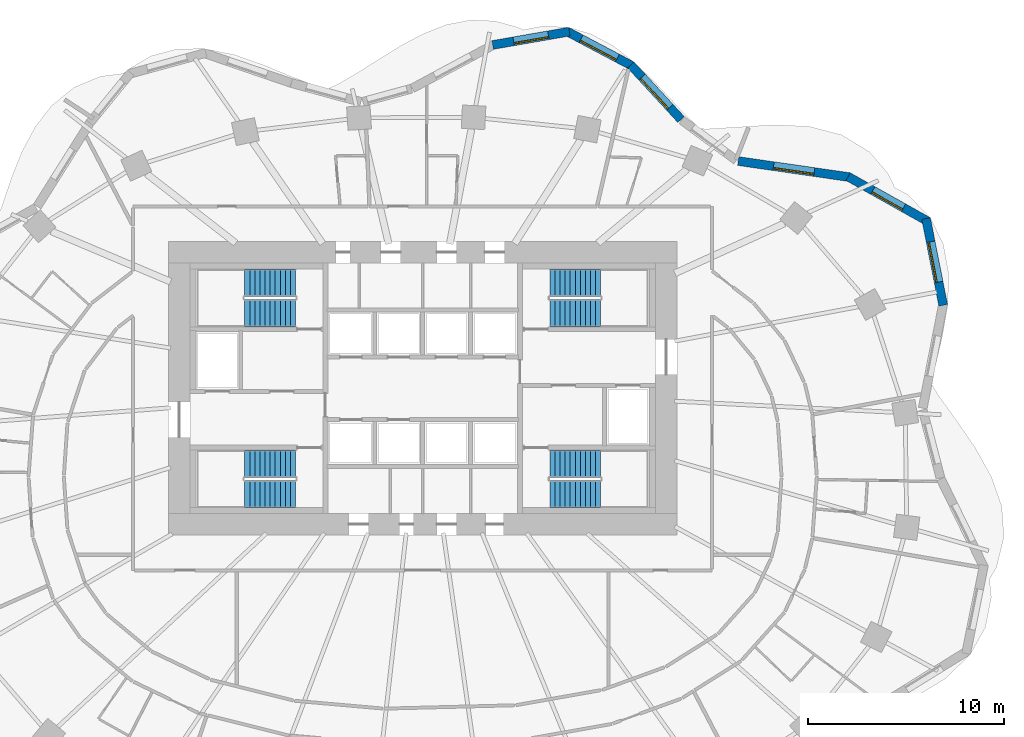
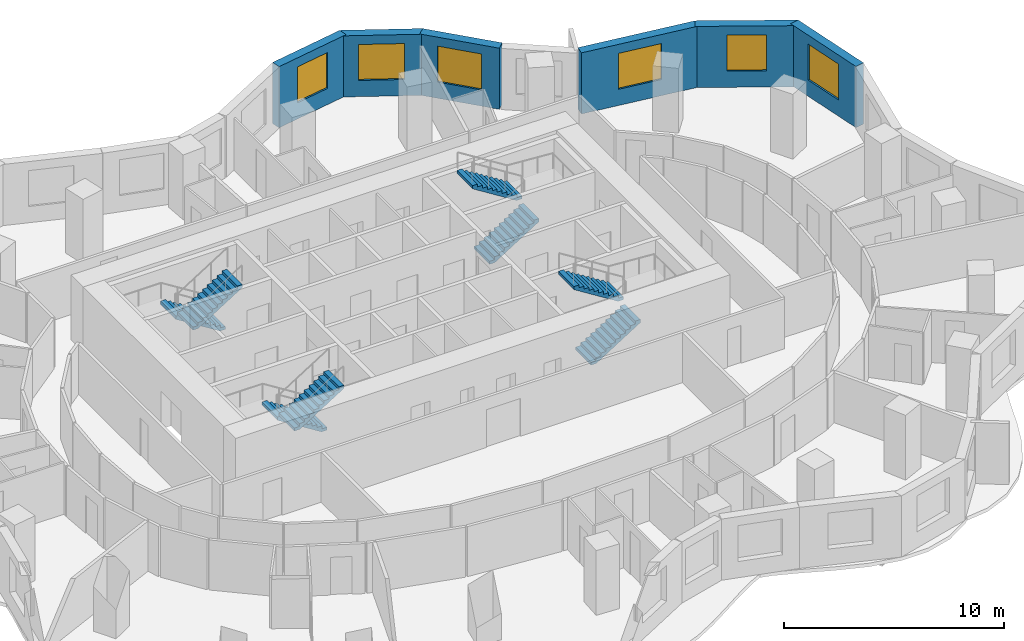
# One storey, part 9 of 10: 8 stair flights, 6 walls, 6 windows, 6 openings, 4 elements without a shape of their own.
"""IFC4 building model written with IfcOpenShell, lengths in metres."""

import ifcopenshell
import ifcopenshell.guid

model = None  # the IFC model being written
_history = None  # IfcOwnerHistory: only IFC2X3 demands one
_inside = {}  # id of a spatial element -> (the spatial element, [elements in it])
_under = {}  # id of a project, library or spatial element -> (it, [spatial elements below it])
_declared = {}  # id of a project -> (the project, [libraries it declares])
_typed = {}  # id of a type object -> (the type object, [elements of that type])
_made_of = {}  # id of a material, layer set ... -> (it, [elements and type objects made of it])


def new_model(schema):
    """Start an empty IFC model of exactly this schema.

    Asked for "IFC4X3", IfcOpenShell would pick the latest addendum, in which some entities
    have other attributes; the version numbers below select the first issue.
    IFC2X3 requires an IfcOwnerHistory on every rooted entity: one is made here for all.
    """
    global model, _history
    if schema == "IFC4X3":
        model = ifcopenshell.file(schema_version=(4, 3, 0, 0))
    else:
        model = ifcopenshell.file(schema=schema)
    _inside.clear()
    _under.clear()
    _declared.clear()
    _typed.clear()
    _made_of.clear()
    _history = None
    if model.schema == "IFC2X3":
        org = make("IfcOrganization", Name="unknown")
        user = make(
            "IfcPersonAndOrganization",
            ThePerson=make("IfcPerson", FamilyName="unknown"),
            TheOrganization=org,
        )
        app = make(
            "IfcApplication",
            ApplicationDeveloper=org,
            Version="unknown",
            ApplicationFullName="unknown",
            ApplicationIdentifier="unknown",
        )
        _history = make(
            "IfcOwnerHistory",
            OwningUser=user,
            OwningApplication=app,
            ChangeAction="ADDED",
            CreationDate=0,
        )
    return model


def make(cls, **values):
    """One entity of the class cls with the attributes given. An attribute that is None is left unset."""
    return model.create_entity(
        cls, **{name: value for name, value in values.items() if value is not None}
    )


def rooted(cls, **values):
    """An entity with a GlobalId (a new one), such as an element, a storey or a relation."""
    return make(cls, GlobalId=ifcopenshell.guid.new(), OwnerHistory=_history, **values)


def si_unit(unit_type, name, prefix=None):
    """IfcSIUnit, for example si_unit("LENGTHUNIT", "METRE", prefix="MILLI")."""
    return make("IfcSIUnit", UnitType=unit_type, Prefix=prefix, Name=name)


def assignment(units):
    """IfcUnitAssignment: the units of a project."""
    return None if units is None else make("IfcUnitAssignment", Units=units)


def point(xyz):
    """IfcCartesianPoint."""
    return None if xyz is None else make("IfcCartesianPoint", Coordinates=xyz)


def direction(xyz):
    """IfcDirection."""
    return None if xyz is None else make("IfcDirection", DirectionRatios=xyz)


def frame(location, z_axis=None, x_axis=None):
    """IfcAxis2Placement3D, a coordinate frame: its origin and axes. An axis left out is left unset."""
    return make(
        "IfcAxis2Placement3D",
        Location=point(location),
        Axis=direction(z_axis),
        RefDirection=direction(x_axis),
    )


def frame_2d(location, x_axis=None):
    """IfcAxis2Placement2D, a coordinate frame in the plane: its origin and x axis."""
    return make(
        "IfcAxis2Placement2D", Location=point(location), RefDirection=direction(x_axis)
    )


def origin():
    """The frame at (0, 0, 0) with its axes left unset."""
    return frame((0.0, 0.0, 0.0))


def place(relative_to, where):
    """IfcLocalPlacement: puts the frame where relative to a parent placement (None: the world)."""
    return make(
        "IfcLocalPlacement", PlacementRelTo=relative_to, RelativePlacement=where
    )


def context(
    kind, dimensions, precision=None, world=None, true_north=None, identifier=None
):
    """IfcGeometricRepresentationContext, for example the 3D "Model" context."""
    return make(
        "IfcGeometricRepresentationContext",
        ContextIdentifier=identifier,
        ContextType=kind,
        CoordinateSpaceDimension=dimensions,
        Precision=precision,
        WorldCoordinateSystem=world,
        TrueNorth=true_north,
    )


def subcontext(parent, identifier, kind, view, scale=None):
    """IfcGeometricRepresentationSubContext, for example "Body" below "Model"."""
    return make(
        "IfcGeometricRepresentationSubContext",
        ContextIdentifier=identifier,
        ContextType=kind,
        ParentContext=parent,
        TargetScale=scale,
        TargetView=view,
    )


def project(units=None, contexts=None):
    """IfcProject with its units and contexts."""
    return rooted(
        "IfcProject",
        Name="project",
        RepresentationContexts=contexts,
        UnitsInContext=assignment(units),
    )


def spatial(cls, under=None, at=None, **own):
    """A site, building, storey or space (cls), placed at a placement, below another one or the project."""
    s = rooted(cls, ObjectPlacement=at, **own)
    if under is not None:
        _under.setdefault(under.id(), (under, []))[1].append(s)
    return s


def polyline(points):
    """IfcPolyline through the points."""
    return make("IfcPolyline", Points=[point(p) for p in points])


def profile(cls, at=None, kind="AREA", **sizes):
    """A parametric profile (cls). Its sizes go by their IFC names, for example OverallWidth=200.0."""
    return make(cls, ProfileType=kind, Position=at, **sizes)


def rectangle(**sizes):
    """IfcRectangleProfileDef."""
    return profile("IfcRectangleProfileDef", **sizes)


def outline(outer, holes=None, kind="AREA"):
    """IfcArbitraryClosedProfileDef: a profile drawn as a closed curve; with holes, ...WithVoids."""
    if holes is None:
        return make("IfcArbitraryClosedProfileDef", ProfileType=kind, OuterCurve=outer)
    return make(
        "IfcArbitraryProfileDefWithVoids",
        ProfileType=kind,
        OuterCurve=outer,
        InnerCurves=holes,
    )


def extrude(swept, where, along, depth):
    """IfcExtrudedAreaSolid: the profile swept, set in the frame where, extruded along a direction by depth."""
    return make(
        "IfcExtrudedAreaSolid",
        SweptArea=swept,
        Position=where,
        ExtrudedDirection=direction(along),
        Depth=depth,
    )


def shape(context_of_items, identifier, shape_type, items):
    """IfcShapeRepresentation: the items that make up one representation, for example the "Body"."""
    return make(
        "IfcShapeRepresentation",
        ContextOfItems=context_of_items,
        RepresentationIdentifier=identifier,
        RepresentationType=shape_type,
        Items=items,
    )


def material(Name=None, Category=None):
    """IfcMaterial."""
    return make("IfcMaterial", Name=Name, Category=Category)


def layer(
    of_material, thickness, ventilated=None, Name=None, Category=None, Priority=None
):
    """IfcMaterialLayer: one layer of a wall or slab, of a material (None: an air gap)."""
    return make(
        "IfcMaterialLayer",
        Material=of_material,
        LayerThickness=thickness,
        IsVentilated=ventilated,
        Name=Name,
        Category=Category,
        Priority=Priority,
    )


def layer_set(layers, Name=None):
    """IfcMaterialLayerSet."""
    return make("IfcMaterialLayerSet", MaterialLayers=layers, LayerSetName=Name)


def made_of(thing, what):
    """Note that an element or type object is made of a material, layer set ...; save() writes the relation."""
    if what is not None:
        _made_of.setdefault(what.id(), (what, []))[1].append(thing)
    return thing


def type_object(cls, material=None, **own):
    """A type object (cls), such as IfcWallType, which elements share."""
    return made_of(rooted(cls, **own), material)


def element(
    cls,
    number,
    at=None,
    inside=None,
    cuts=None,
    type_object=None,
    material=None,
    context=None,
    identifier="Body",
    shape_type=None,
    held_by="IfcProductDefinitionShape",
    body=None,
    shapes=None,
    **own,
):
    """One element of the class cls, such as IfcWall. Its Tag is "e" and its number.

    at: its placement. inside: the storey or other place that contains it. cuts: it is an
    opening in that element (IfcRelVoidsElement). A single representation is given by context,
    identifier, shape_type and body (its items); several are given by shapes. held_by: the class
    of the entity that holds the representations. save() writes the other relations.
    """
    e = rooted(cls, Tag="e%d" % number, ObjectPlacement=at, **own)
    if body is not None:
        shapes = [shape(context, identifier, shape_type, body)]
    if shapes is not None:
        e.Representation = make(held_by, Representations=shapes)
    if inside is not None:
        _inside.setdefault(inside.id(), (inside, []))[1].append(e)
    if cuts is not None:
        rooted(
            "IfcRelVoidsElement", RelatingBuildingElement=cuts, RelatedOpeningElement=e
        )
    if type_object is not None:
        _typed.setdefault(type_object.id(), (type_object, []))[1].append(e)
    return made_of(e, material)


def fill(opening, filler):
    """IfcRelFillsElement: the door or window that sits in an opening."""
    return rooted(
        "IfcRelFillsElement",
        RelatingOpeningElement=opening,
        RelatedBuildingElement=filler,
    )


def aggregate(whole, parts):
    """IfcRelAggregates: a whole, such as a stair, and the parts it consists of."""
    return rooted("IfcRelAggregates", RelatingObject=whole, RelatedObjects=parts)


def save(model, path):
    """Write the relations noted so far, then the file.

    IfcRelAggregates (storeys below a building ...), IfcRelContainedInSpatialStructure (elements
    in a storey), IfcRelDefinesByType, IfcRelAssociatesMaterial and IfcRelDeclares: one each for
    every whole, place, type object, material and project.
    """
    for whole, parts in _under.values():
        aggregate(whole, parts)
    for where, things in _inside.values():
        rooted(
            "IfcRelContainedInSpatialStructure",
            RelatedElements=things,
            RelatingStructure=where,
        )
    for kind, things in _typed.values():
        rooted("IfcRelDefinesByType", RelatedObjects=things, RelatingType=kind)
    for what, things in _made_of.values():
        rooted("IfcRelAssociatesMaterial", RelatedObjects=things, RelatingMaterial=what)
    for by, libraries in _declared.values():
        rooted("IfcRelDeclares", RelatingContext=by, RelatedDefinitions=libraries)
    model.write(path)


model = new_model("IFC4")

# Units and contexts
model_context = context("Model", 3, precision=1e-05, world=origin(), true_north=direction((0.0, 1.0)))
body_context = subcontext(model_context, "Body", "Model", "MODEL_VIEW")
ifc_project = project(units=[si_unit("LENGTHUNIT", "METRE"), si_unit("AREAUNIT", "SQUARE_METRE"), si_unit("VOLUMEUNIT", "CUBIC_METRE"), si_unit("PLANEANGLEUNIT", "RADIAN"), si_unit("MASSUNIT", "GRAM", prefix="KILO")], contexts=[model_context])

# Site, building, storey
site_placement = place(None, origin())
site = spatial("IfcSite", under=ifc_project, at=site_placement, CompositionType="ELEMENT")
building_placement = place(site_placement, origin())
building = spatial("IfcBuilding", under=site, at=building_placement, Name="Rubra Terraces Tower", CompositionType="ELEMENT")
storey_placement = place(building_placement, frame((0.0, 0.0, 88.800048828125)))
storey = spatial("IfcBuildingStorey", under=building, at=storey_placement, Name="L20", CompositionType="ELEMENT", Elevation=88.800048828125)

# Wall, opening, window
ifc_material_1 = material(Name="Brick masonry red-brown", Category="masonry")
ifc_layer = layer(ifc_material_1, 0.449951171875)
ifc_layer_set = layer_set([ifc_layer], Name="Brick masonry red-brown")
wall_type = type_object("IfcWallType", Name="Brick facade wall 450", PredefinedType="SOLIDWALL", material=ifc_layer_set)
wall_1_placement = place(storey_placement, frame((26.609619140625, 8.747802734375, 0.0), z_axis=(0.0, 0.0, 1.0), x_axis=(-0.193923166402, 0.981016720312, 0.0)))
wall_1 = element("IfcWall", 1, at=wall_1_placement, inside=storey, type_object=wall_type, Name="Facade wall L20 bay 3", PredefinedType="SOLIDWALL", context=body_context, shape_type="SweptSolid", body=[
    extrude(rectangle(XDim=4.518310546875, YDim=0.449951171875, at=frame_2d((2.25927734375, 0.0))), origin(), (0.0, 0.0, 1.0), 3.39990234375),
])
opening_1_placement = place(wall_1_placement, frame((1.209228515625, 0.0, 0.89990234375)))
opening_1 = element("IfcOpeningElement", 2, at=opening_1_placement, cuts=wall_1, Name="Opening W1", PredefinedType="OPENING", context=body_context, shape_type="SweptSolid", body=[
    extrude(rectangle(XDim=2.10009765625, YDim=2.0, at=frame_2d((1.050048828125, 1.0))), frame((0.0, 0.23486328125, 0.0), z_axis=(0.0, -1.0, 0.0), x_axis=(1.0, 0.0, 0.0)), (0.0, 0.0, 1.0), 0.469970703125),
])
ifc_material_2 = material(Name="Clear glass in aluminium frame", Category="aluminium")
window_type_1 = type_object("IfcWindowType", Name="Fixed deep-set window 2100 x 2000", PartitioningType="SINGLE_PANEL", PredefinedType="WINDOW", material=ifc_material_2)
window_1_placement = place(opening_1_placement, origin())
window_1 = element("IfcWindow", 3, at=window_1_placement, inside=storey, type_object=window_type_1, Name="Window L20 bay 3", OverallHeight=2.0, OverallWidth=2.10009765625, PartitioningType="SINGLE_PANEL", PredefinedType="WINDOW", context=body_context, shape_type="SweptSolid", body=[
    extrude(rectangle(XDim=2.10009765625, YDim=2.0, at=frame_2d((1.050048828125, 1.0))), frame((0.0, 0.135009765625, 0.0), z_axis=(0.0, -1.0, 0.0), x_axis=(1.0, 0.0, 0.0)), (0.0, 0.0, 1.0), 0.06005859375),
])
fill(opening_1, window_1)

wall_2_placement = place(storey_placement, frame((25.843994140625, 13.027587890625, 0.0), z_axis=(0.0, 0.0, 1.0), x_axis=(-0.872346398261, 0.488888291373, 0.0)))
wall_2 = element("IfcWall", 4, at=wall_2_placement, inside=storey, type_object=wall_type, Name="Facade wall L20 bay 4", PredefinedType="SOLIDWALL", context=body_context, shape_type="SweptSolid", body=[
    extrude(rectangle(XDim=4.696044921875, YDim=0.449951171875, at=frame_2d((2.34814453125, 0.0))), origin(), (0.0, 0.0, 1.0), 3.39990234375),
])
opening_2_placement = place(wall_2_placement, frame((1.447998046875, 0.0, 0.89990234375)))
opening_2 = element("IfcOpeningElement", 5, at=opening_2_placement, cuts=wall_2, Name="Opening W6", PredefinedType="OPENING", context=body_context, shape_type="SweptSolid", body=[
    extrude(rectangle(XDim=1.800048828125, YDim=2.0, at=frame_2d((0.89990234375, 1.0))), frame((0.0, 0.23486328125, 0.0), z_axis=(0.0, -1.0, 0.0), x_axis=(1.0, 0.0, 0.0)), (0.0, 0.0, 1.0), 0.469970703125),
])
window_type_2 = type_object("IfcWindowType", Name="Fixed deep-set window at wind fin 1800 x 2000", PartitioningType="SINGLE_PANEL", PredefinedType="WINDOW", material=ifc_material_2)
window_2_placement = place(opening_2_placement, origin())
window_2 = element("IfcWindow", 6, at=window_2_placement, inside=storey, type_object=window_type_2, Name="Window L20 bay 4", OverallHeight=2.0, OverallWidth=1.800048828125, PartitioningType="SINGLE_PANEL", PredefinedType="WINDOW", context=body_context, shape_type="SweptSolid", body=[
    extrude(rectangle(XDim=1.800048828125, YDim=2.0, at=frame_2d((0.89990234375, 1.0))), frame((0.0, 0.135009765625, 0.0), z_axis=(0.0, -1.0, 0.0), x_axis=(1.0, 0.0, 0.0)), (0.0, 0.0, 1.0), 0.06005859375),
])
fill(opening_2, window_2)

wall_3_placement = place(storey_placement, frame((21.8251953125, 15.297119140625, 0.0), z_axis=(0.0, 0.0, 1.0), x_axis=(-0.98971474215, 0.143054986527, 0.0)))
wall_3 = element("IfcWall", 7, at=wall_3_placement, inside=storey, type_object=wall_type, Name="Facade wall L20 bay 5", PredefinedType="SOLIDWALL", context=body_context, shape_type="SweptSolid", body=[
    extrude(rectangle(XDim=5.7529296875, YDim=0.449951171875, at=frame_2d((2.87646484375, 0.0))), origin(), (0.0, 0.0, 1.0), 3.39990234375),
])
opening_3_placement = place(wall_3_placement, frame((1.826416015625, 0.0, 0.89990234375)))
opening_3 = element("IfcOpeningElement", 8, at=opening_3_placement, cuts=wall_3, Name="Opening W1", PredefinedType="OPENING", context=body_context, shape_type="SweptSolid", body=[
    extrude(rectangle(XDim=2.10009765625, YDim=2.0, at=frame_2d((1.050048828125, 1.0))), frame((0.0, 0.23486328125, 0.0), z_axis=(0.0, -1.0, 0.0), x_axis=(1.0, 0.0, 0.0)), (0.0, 0.0, 1.0), 0.469970703125),
])
window_3_placement = place(opening_3_placement, origin())
window_3 = element("IfcWindow", 9, at=window_3_placement, inside=storey, type_object=window_type_1, Name="Window L20 bay 5", OverallHeight=2.0, OverallWidth=2.10009765625, PartitioningType="SINGLE_PANEL", PredefinedType="WINDOW", context=body_context, shape_type="SweptSolid", body=[
    extrude(rectangle(XDim=2.10009765625, YDim=2.0, at=frame_2d((1.050048828125, 1.0))), frame((0.0, 0.135009765625, 0.0), z_axis=(0.0, -1.0, 0.0), x_axis=(1.0, 0.0, 0.0)), (0.0, 0.0, 1.0), 0.06005859375),
])
fill(opening_3, window_3)

wall_4_placement = place(storey_placement, frame((13.20947265625, 18.242919921875, 0.0), z_axis=(0.0, 0.0, 1.0), x_axis=(-0.677612152497, 0.735419452278, 0.0)))
wall_4 = element("IfcWall", 10, at=wall_4_placement, inside=storey, type_object=wall_type, Name="Facade wall L20 bay 7", PredefinedType="SOLIDWALL", context=body_context, shape_type="SweptSolid", body=[
    extrude(rectangle(XDim=3.796875, YDim=0.449951171875, at=frame_2d((1.8984375, 0.0))), origin(), (0.0, 0.0, 1.0), 3.39990234375),
])
opening_4_placement = place(wall_4_placement, frame((0.848388671875, 0.0, 0.89990234375)))
opening_4 = element("IfcOpeningElement", 11, at=opening_4_placement, cuts=wall_4, Name="Opening W1", PredefinedType="OPENING", context=body_context, shape_type="SweptSolid", body=[
    extrude(rectangle(XDim=2.10009765625, YDim=2.0, at=frame_2d((1.050048828125, 1.0))), frame((0.0, 0.23486328125, 0.0), z_axis=(0.0, -1.0, 0.0), x_axis=(1.0, 0.0, 0.0)), (0.0, 0.0, 1.0), 0.469970703125),
])
window_4_placement = place(opening_4_placement, origin())
window_4 = element("IfcWindow", 12, at=window_4_placement, inside=storey, type_object=window_type_1, Name="Window L20 bay 7", OverallHeight=2.0, OverallWidth=2.10009765625, PartitioningType="SINGLE_PANEL", PredefinedType="WINDOW", context=body_context, shape_type="SweptSolid", body=[
    extrude(rectangle(XDim=2.10009765625, YDim=2.0, at=frame_2d((1.050048828125, 1.0))), frame((0.0, 0.135009765625, 0.0), z_axis=(0.0, -1.0, 0.0), x_axis=(1.0, 0.0, 0.0)), (0.0, 0.0, 1.0), 0.06005859375),
])
fill(opening_4, window_4)

wall_5_placement = place(storey_placement, frame((10.692626953125, 20.9931640625, 0.0), z_axis=(0.0, 0.0, 1.0), x_axis=(-0.883817790726, 0.46783128668, 0.0)))
wall_5 = element("IfcWall", 13, at=wall_5_placement, inside=storey, type_object=wall_type, Name="Facade wall L20 bay 8", PredefinedType="SOLIDWALL", context=body_context, shape_type="SweptSolid", body=[
    extrude(rectangle(XDim=3.776611328125, YDim=0.449951171875, at=frame_2d((1.88818359375, 0.0))), origin(), (0.0, 0.0, 1.0), 3.39990234375),
])
opening_5_placement = place(wall_5_placement, frame((0.83837890625, 0.0, 0.89990234375)))
opening_5 = element("IfcOpeningElement", 14, at=opening_5_placement, cuts=wall_5, Name="Opening W1", PredefinedType="OPENING", context=body_context, shape_type="SweptSolid", body=[
    extrude(rectangle(XDim=2.10009765625, YDim=2.0, at=frame_2d((1.050048828125, 1.0))), frame((0.0, 0.23486328125, 0.0), z_axis=(0.0, -1.0, 0.0), x_axis=(1.0, 0.0, 0.0)), (0.0, 0.0, 1.0), 0.469970703125),
])
window_5_placement = place(opening_5_placement, origin())
window_5 = element("IfcWindow", 15, at=window_5_placement, inside=storey, type_object=window_type_1, Name="Window L20 bay 8", OverallHeight=2.0, OverallWidth=2.10009765625, PartitioningType="SINGLE_PANEL", PredefinedType="WINDOW", context=body_context, shape_type="SweptSolid", body=[
    extrude(rectangle(XDim=2.10009765625, YDim=2.0, at=frame_2d((1.050048828125, 1.0))), frame((0.0, 0.135009765625, 0.0), z_axis=(0.0, -1.0, 0.0), x_axis=(1.0, 0.0, 0.0)), (0.0, 0.0, 1.0), 0.06005859375),
])
fill(opening_5, window_5)

wall_6_placement = place(storey_placement, frame((7.49853515625, 22.7373046875, 0.0), z_axis=(0.0, 0.0, 1.0), x_axis=(-0.98521220506, -0.171338585849, 0.0)))
wall_6 = element("IfcWall", 16, at=wall_6_placement, inside=storey, type_object=wall_type, Name="Facade wall L20 bay 9", PredefinedType="SOLIDWALL", context=body_context, shape_type="SweptSolid", body=[
    extrude(rectangle(XDim=3.979736328125, YDim=0.449951171875, at=frame_2d((1.98974609375, 0.0))), origin(), (0.0, 0.0, 1.0), 3.39990234375),
])
opening_6_placement = place(wall_6_placement, frame((1.08984375, 0.0, 0.89990234375)))
opening_6 = element("IfcOpeningElement", 17, at=opening_6_placement, cuts=wall_6, Name="Opening W6", PredefinedType="OPENING", context=body_context, shape_type="SweptSolid", body=[
    extrude(rectangle(XDim=1.800048828125, YDim=2.0, at=frame_2d((0.89990234375, 1.0))), frame((0.0, 0.23486328125, 0.0), z_axis=(0.0, -1.0, 0.0), x_axis=(1.0, 0.0, 0.0)), (0.0, 0.0, 1.0), 0.469970703125),
])
window_6_placement = place(opening_6_placement, origin())
window_6 = element("IfcWindow", 18, at=window_6_placement, inside=storey, type_object=window_type_2, Name="Window L20 bay 9", OverallHeight=2.0, OverallWidth=1.800048828125, PartitioningType="SINGLE_PANEL", PredefinedType="WINDOW", context=body_context, shape_type="SweptSolid", body=[
    extrude(rectangle(XDim=1.800048828125, YDim=2.0, at=frame_2d((0.89990234375, 1.0))), frame((0.0, 0.135009765625, 0.0), z_axis=(0.0, -1.0, 0.0), x_axis=(1.0, 0.0, 0.0)), (0.0, 0.0, 1.0), 0.06005859375),
])
fill(opening_6, window_6)

# Stair, stair flights
ifc_material_3 = material(Name="Concrete C40", Category="concrete")
stair_type = type_object("IfcStairType", Name="Core stair 1400", PredefinedType="HALF_TURN_STAIR", material=ifc_material_3)
stair_1_placement = place(storey_placement, origin())
stair_1 = element("IfcStair", 19, at=stair_1_placement, inside=storey, type_object=stair_type, Name="L20 Exit stair S1", PredefinedType="HALF_TURN_STAIR")
stair_flight_type = type_object("IfcStairFlightType", Name="Core stair flight 1400", PredefinedType="STRAIGHT", material=ifc_material_3)
stair_flight_1_placement = place(storey_placement, frame((-6.5, 0.64990234375, 0.0), z_axis=(0.0, 0.0, 1.0), x_axis=(-1.0, 0.0, 0.0)))
stair_flight_1 = element("IfcStairFlight", 20, at=stair_flight_1_placement, type_object=stair_flight_type, Name="S1 flight 1", NumberOfRisers=11, NumberOfTreads=10, PredefinedType="STRAIGHT", RiserHeight=0.163636364, TreadLength=0.26, context=body_context, shape_type="SweptSolid", body=[
    extrude(outline(polyline([(0.0, 0.0), (0.0, 0.16357421875), (0.260009765625, 0.16357421875), (0.260009765625, 0.327392578125), (0.52001953125, 0.327392578125), (0.52001953125, 0.490966796875), (0.780029296875, 0.490966796875), (0.780029296875, 0.654541015625), (1.0400390625, 0.654541015625), (1.0400390625, 0.818115234375), (1.300048828125, 0.818115234375), (1.300048828125, 0.98193359375), (1.56005859375, 0.98193359375), (1.56005859375, 1.1455078125), (1.820068359375, 1.1455078125), (1.820068359375, 1.30908203125), (2.080078125, 1.30908203125), (2.080078125, 1.47265625), (2.340087890625, 1.47265625), (2.340087890625, 1.636474609375), (2.60009765625, 1.636474609375), (2.60009765625, 1.800048828125), (2.60009765625, 1.459228515625), (0.281494140625, 0.0), (0.0, 0.0)])), frame((0.0, 0.699951171875, 0.0), z_axis=(0.0, -1.0, 0.0), x_axis=(1.0, 0.0, 0.0)), (0.0, 0.0, 1.0), 1.39990234375),
])
stair_flight_2_placement = place(storey_placement, frame((-9.10009765625, -0.89990234375, 1.800048828125), z_axis=(0.0, 0.0, 1.0), x_axis=(1.0, 0.0, 0.0)))
stair_flight_2 = element("IfcStairFlight", 21, at=stair_flight_2_placement, type_object=stair_flight_type, Name="S1 flight 2", NumberOfRisers=11, NumberOfTreads=10, PredefinedType="STRAIGHT", RiserHeight=0.163636364, TreadLength=0.26, context=body_context, shape_type="SweptSolid", body=[
    extrude(outline(polyline([(0.0, 0.0), (0.0, 0.16357421875), (0.260009765625, 0.16357421875), (0.260009765625, 0.327392578125), (0.52001953125, 0.327392578125), (0.52001953125, 0.490966796875), (0.780029296875, 0.490966796875), (0.780029296875, 0.654541015625), (1.0400390625, 0.654541015625), (1.0400390625, 0.818115234375), (1.300048828125, 0.818115234375), (1.300048828125, 0.98193359375), (1.56005859375, 0.98193359375), (1.56005859375, 1.1455078125), (1.820068359375, 1.1455078125), (1.820068359375, 1.30908203125), (2.080078125, 1.30908203125), (2.080078125, 1.47265625), (2.340087890625, 1.47265625), (2.340087890625, 1.636474609375), (2.60009765625, 1.636474609375), (2.60009765625, 1.800048828125), (2.60009765625, 1.459228515625), (0.281494140625, 0.0), (0.0, 0.0)])), frame((0.0, 0.699951171875, 0.0), z_axis=(0.0, -1.0, 0.0), x_axis=(1.0, 0.0, 0.0)), (0.0, 0.0, 1.0), 1.39990234375),
])
aggregate(stair_1, [stair_flight_1, stair_flight_2])

stair_2_placement = place(storey_placement, origin())
stair_2 = element("IfcStair", 22, at=stair_2_placement, inside=storey, type_object=stair_type, Name="L20 Exit stair S2", PredefinedType="HALF_TURN_STAIR")
stair_flight_3_placement = place(storey_placement, frame((-6.5, 9.89990234375, 0.0), z_axis=(0.0, 0.0, 1.0), x_axis=(-1.0, 0.0, 0.0)))
stair_flight_3 = element("IfcStairFlight", 23, at=stair_flight_3_placement, type_object=stair_flight_type, Name="S2 flight 1", NumberOfRisers=11, NumberOfTreads=10, PredefinedType="STRAIGHT", RiserHeight=0.163636364, TreadLength=0.26, context=body_context, shape_type="SweptSolid", body=[
    extrude(outline(polyline([(0.0, 0.0), (0.0, 0.16357421875), (0.260009765625, 0.16357421875), (0.260009765625, 0.327392578125), (0.52001953125, 0.327392578125), (0.52001953125, 0.490966796875), (0.780029296875, 0.490966796875), (0.780029296875, 0.654541015625), (1.0400390625, 0.654541015625), (1.0400390625, 0.818115234375), (1.300048828125, 0.818115234375), (1.300048828125, 0.98193359375), (1.56005859375, 0.98193359375), (1.56005859375, 1.1455078125), (1.820068359375, 1.1455078125), (1.820068359375, 1.30908203125), (2.080078125, 1.30908203125), (2.080078125, 1.47265625), (2.340087890625, 1.47265625), (2.340087890625, 1.636474609375), (2.60009765625, 1.636474609375), (2.60009765625, 1.800048828125), (2.60009765625, 1.459228515625), (0.281494140625, 0.0), (0.0, 0.0)])), frame((0.0, 0.699951171875, 0.0), z_axis=(0.0, -1.0, 0.0), x_axis=(1.0, 0.0, 0.0)), (0.0, 0.0, 1.0), 1.39990234375),
])
stair_flight_4_placement = place(storey_placement, frame((-9.10009765625, 8.35009765625, 1.800048828125), z_axis=(0.0, 0.0, 1.0), x_axis=(1.0, 0.0, 0.0)))
stair_flight_4 = element("IfcStairFlight", 24, at=stair_flight_4_placement, type_object=stair_flight_type, Name="S2 flight 2", NumberOfRisers=11, NumberOfTreads=10, PredefinedType="STRAIGHT", RiserHeight=0.163636364, TreadLength=0.26, context=body_context, shape_type="SweptSolid", body=[
    extrude(outline(polyline([(0.0, 0.0), (0.0, 0.16357421875), (0.260009765625, 0.16357421875), (0.260009765625, 0.327392578125), (0.52001953125, 0.327392578125), (0.52001953125, 0.490966796875), (0.780029296875, 0.490966796875), (0.780029296875, 0.654541015625), (1.0400390625, 0.654541015625), (1.0400390625, 0.818115234375), (1.300048828125, 0.818115234375), (1.300048828125, 0.98193359375), (1.56005859375, 0.98193359375), (1.56005859375, 1.1455078125), (1.820068359375, 1.1455078125), (1.820068359375, 1.30908203125), (2.080078125, 1.30908203125), (2.080078125, 1.47265625), (2.340087890625, 1.47265625), (2.340087890625, 1.636474609375), (2.60009765625, 1.636474609375), (2.60009765625, 1.800048828125), (2.60009765625, 1.459228515625), (0.281494140625, 0.0), (0.0, 0.0)])), frame((0.0, 0.699951171875, 0.0), z_axis=(0.0, -1.0, 0.0), x_axis=(1.0, 0.0, 0.0)), (0.0, 0.0, 1.0), 1.39990234375),
])
aggregate(stair_2, [stair_flight_3, stair_flight_4])

stair_3_placement = place(storey_placement, origin())
stair_3 = element("IfcStair", 25, at=stair_3_placement, inside=storey, type_object=stair_type, Name="L20 Exit stair S3", PredefinedType="HALF_TURN_STAIR")
stair_flight_5_placement = place(storey_placement, frame((6.5, 8.35009765625, 0.0), z_axis=(0.0, 0.0, 1.0), x_axis=(1.0, 0.0, 0.0)))
stair_flight_5 = element("IfcStairFlight", 26, at=stair_flight_5_placement, type_object=stair_flight_type, Name="S3 flight 1", NumberOfRisers=11, NumberOfTreads=10, PredefinedType="STRAIGHT", RiserHeight=0.163636364, TreadLength=0.26, context=body_context, shape_type="SweptSolid", body=[
    extrude(outline(polyline([(0.0, 0.0), (0.0, 0.16357421875), (0.260009765625, 0.16357421875), (0.260009765625, 0.327392578125), (0.52001953125, 0.327392578125), (0.52001953125, 0.490966796875), (0.780029296875, 0.490966796875), (0.780029296875, 0.654541015625), (1.0400390625, 0.654541015625), (1.0400390625, 0.818115234375), (1.300048828125, 0.818115234375), (1.300048828125, 0.98193359375), (1.56005859375, 0.98193359375), (1.56005859375, 1.1455078125), (1.820068359375, 1.1455078125), (1.820068359375, 1.30908203125), (2.080078125, 1.30908203125), (2.080078125, 1.47265625), (2.340087890625, 1.47265625), (2.340087890625, 1.636474609375), (2.60009765625, 1.636474609375), (2.60009765625, 1.800048828125), (2.60009765625, 1.459228515625), (0.281494140625, 0.0), (0.0, 0.0)])), frame((0.0, 0.699951171875, 0.0), z_axis=(0.0, -1.0, 0.0), x_axis=(1.0, 0.0, 0.0)), (0.0, 0.0, 1.0), 1.39990234375),
])
stair_flight_6_placement = place(storey_placement, frame((9.10009765625, 9.89990234375, 1.800048828125), z_axis=(0.0, 0.0, 1.0), x_axis=(-1.0, 0.0, 0.0)))
stair_flight_6 = element("IfcStairFlight", 27, at=stair_flight_6_placement, type_object=stair_flight_type, Name="S3 flight 2", NumberOfRisers=11, NumberOfTreads=10, PredefinedType="STRAIGHT", RiserHeight=0.163636364, TreadLength=0.26, context=body_context, shape_type="SweptSolid", body=[
    extrude(outline(polyline([(0.0, 0.0), (0.0, 0.16357421875), (0.260009765625, 0.16357421875), (0.260009765625, 0.327392578125), (0.52001953125, 0.327392578125), (0.52001953125, 0.490966796875), (0.780029296875, 0.490966796875), (0.780029296875, 0.654541015625), (1.0400390625, 0.654541015625), (1.0400390625, 0.818115234375), (1.300048828125, 0.818115234375), (1.300048828125, 0.98193359375), (1.56005859375, 0.98193359375), (1.56005859375, 1.1455078125), (1.820068359375, 1.1455078125), (1.820068359375, 1.30908203125), (2.080078125, 1.30908203125), (2.080078125, 1.47265625), (2.340087890625, 1.47265625), (2.340087890625, 1.636474609375), (2.60009765625, 1.636474609375), (2.60009765625, 1.800048828125), (2.60009765625, 1.459228515625), (0.281494140625, 0.0), (0.0, 0.0)])), frame((0.0, 0.699951171875, 0.0), z_axis=(0.0, -1.0, 0.0), x_axis=(1.0, 0.0, 0.0)), (0.0, 0.0, 1.0), 1.39990234375),
])
aggregate(stair_3, [stair_flight_5, stair_flight_6])

stair_4_placement = place(storey_placement, origin())
stair_4 = element("IfcStair", 28, at=stair_4_placement, inside=storey, type_object=stair_type, Name="L20 Exit stair S4", PredefinedType="HALF_TURN_STAIR")
stair_flight_7_placement = place(storey_placement, frame((6.5, -0.89990234375, 0.0), z_axis=(0.0, 0.0, 1.0), x_axis=(1.0, 0.0, 0.0)))
stair_flight_7 = element("IfcStairFlight", 29, at=stair_flight_7_placement, type_object=stair_flight_type, Name="S4 flight 1", NumberOfRisers=11, NumberOfTreads=10, PredefinedType="STRAIGHT", RiserHeight=0.163636364, TreadLength=0.26, context=body_context, shape_type="SweptSolid", body=[
    extrude(outline(polyline([(0.0, 0.0), (0.0, 0.16357421875), (0.260009765625, 0.16357421875), (0.260009765625, 0.327392578125), (0.52001953125, 0.327392578125), (0.52001953125, 0.490966796875), (0.780029296875, 0.490966796875), (0.780029296875, 0.654541015625), (1.0400390625, 0.654541015625), (1.0400390625, 0.818115234375), (1.300048828125, 0.818115234375), (1.300048828125, 0.98193359375), (1.56005859375, 0.98193359375), (1.56005859375, 1.1455078125), (1.820068359375, 1.1455078125), (1.820068359375, 1.30908203125), (2.080078125, 1.30908203125), (2.080078125, 1.47265625), (2.340087890625, 1.47265625), (2.340087890625, 1.636474609375), (2.60009765625, 1.636474609375), (2.60009765625, 1.800048828125), (2.60009765625, 1.459228515625), (0.281494140625, 0.0), (0.0, 0.0)])), frame((0.0, 0.699951171875, 0.0), z_axis=(0.0, -1.0, 0.0), x_axis=(1.0, 0.0, 0.0)), (0.0, 0.0, 1.0), 1.39990234375),
])
stair_flight_8_placement = place(storey_placement, frame((9.10009765625, 0.64990234375, 1.800048828125), z_axis=(0.0, 0.0, 1.0), x_axis=(-1.0, 0.0, 0.0)))
stair_flight_8 = element("IfcStairFlight", 30, at=stair_flight_8_placement, type_object=stair_flight_type, Name="S4 flight 2", NumberOfRisers=11, NumberOfTreads=10, PredefinedType="STRAIGHT", RiserHeight=0.163636364, TreadLength=0.26, context=body_context, shape_type="SweptSolid", body=[
    extrude(outline(polyline([(0.0, 0.0), (0.0, 0.16357421875), (0.260009765625, 0.16357421875), (0.260009765625, 0.327392578125), (0.52001953125, 0.327392578125), (0.52001953125, 0.490966796875), (0.780029296875, 0.490966796875), (0.780029296875, 0.654541015625), (1.0400390625, 0.654541015625), (1.0400390625, 0.818115234375), (1.300048828125, 0.818115234375), (1.300048828125, 0.98193359375), (1.56005859375, 0.98193359375), (1.56005859375, 1.1455078125), (1.820068359375, 1.1455078125), (1.820068359375, 1.30908203125), (2.080078125, 1.30908203125), (2.080078125, 1.47265625), (2.340087890625, 1.47265625), (2.340087890625, 1.636474609375), (2.60009765625, 1.636474609375), (2.60009765625, 1.800048828125), (2.60009765625, 1.459228515625), (0.281494140625, 0.0), (0.0, 0.0)])), frame((0.0, 0.699951171875, 0.0), z_axis=(0.0, -1.0, 0.0), x_axis=(1.0, 0.0, 0.0)), (0.0, 0.0, 1.0), 1.39990234375),
])
aggregate(stair_4, [stair_flight_7, stair_flight_8])

save(model, "model.ifc")
